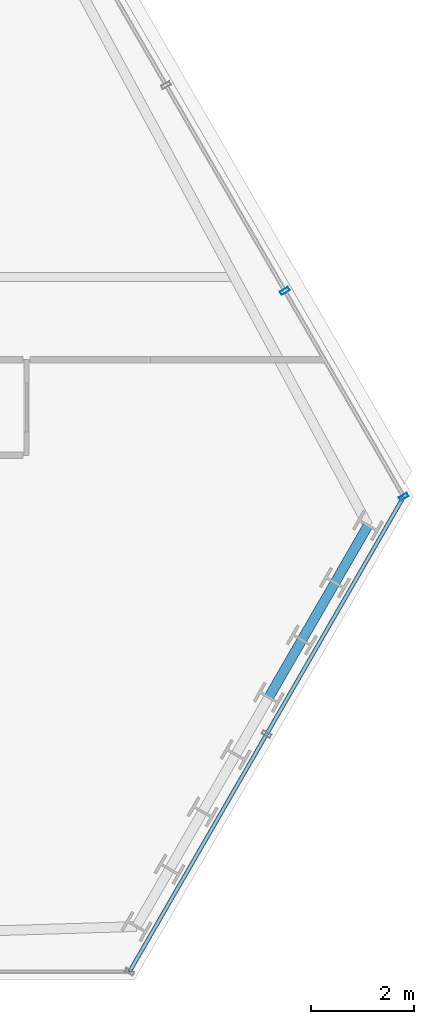
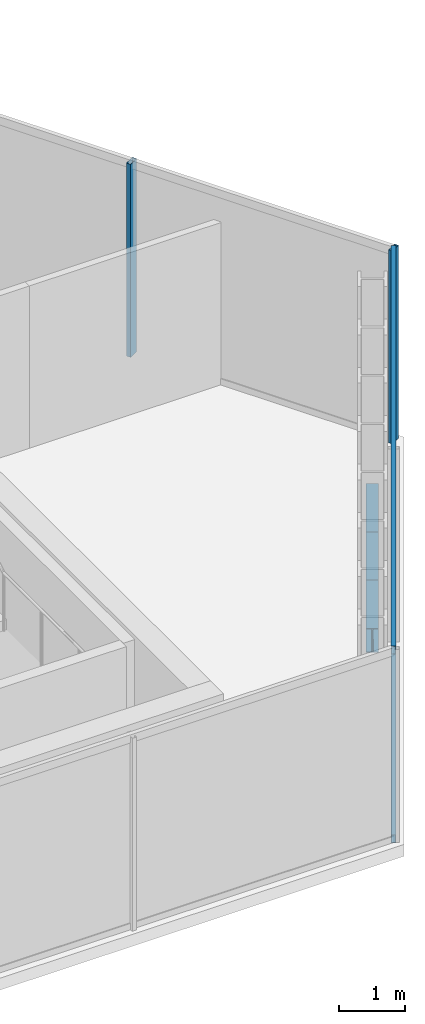
# One storey, part 16 of 33: 4 members, 3 beams, 2 elements without a shape of their own.
"""IFC4 building model written with IfcOpenShell, lengths in metres."""

import ifcopenshell
import ifcopenshell.guid

model = None  # the IFC model being written
_history = None  # IfcOwnerHistory: only IFC2X3 demands one
_inside = {}  # id of a spatial element -> (the spatial element, [elements in it])
_under = {}  # id of a project, library or spatial element -> (it, [spatial elements below it])
_declared = {}  # id of a project -> (the project, [libraries it declares])
_typed = {}  # id of a type object -> (the type object, [elements of that type])
_made_of = {}  # id of a material, layer set ... -> (it, [elements and type objects made of it])


def new_model(schema):
    """Start an empty IFC model of exactly this schema.

    Asked for "IFC4X3", IfcOpenShell would pick the latest addendum, in which some entities
    have other attributes; the version numbers below select the first issue.
    IFC2X3 requires an IfcOwnerHistory on every rooted entity: one is made here for all.
    """
    global model, _history
    if schema == "IFC4X3":
        model = ifcopenshell.file(schema_version=(4, 3, 0, 0))
    else:
        model = ifcopenshell.file(schema=schema)
    _inside.clear()
    _under.clear()
    _declared.clear()
    _typed.clear()
    _made_of.clear()
    _history = None
    if model.schema == "IFC2X3":
        org = make("IfcOrganization", Name="unknown")
        user = make(
            "IfcPersonAndOrganization",
            ThePerson=make("IfcPerson", FamilyName="unknown"),
            TheOrganization=org,
        )
        app = make(
            "IfcApplication",
            ApplicationDeveloper=org,
            Version="unknown",
            ApplicationFullName="unknown",
            ApplicationIdentifier="unknown",
        )
        _history = make(
            "IfcOwnerHistory",
            OwningUser=user,
            OwningApplication=app,
            ChangeAction="ADDED",
            CreationDate=0,
        )
    return model


def make(cls, **values):
    """One entity of the class cls with the attributes given. An attribute that is None is left unset."""
    return model.create_entity(
        cls, **{name: value for name, value in values.items() if value is not None}
    )


def rooted(cls, **values):
    """An entity with a GlobalId (a new one), such as an element, a storey or a relation."""
    return make(cls, GlobalId=ifcopenshell.guid.new(), OwnerHistory=_history, **values)


def si_unit(unit_type, name, prefix=None):
    """IfcSIUnit, for example si_unit("LENGTHUNIT", "METRE", prefix="MILLI")."""
    return make("IfcSIUnit", UnitType=unit_type, Prefix=prefix, Name=name)


def assignment(units):
    """IfcUnitAssignment: the units of a project."""
    return None if units is None else make("IfcUnitAssignment", Units=units)


def point(xyz):
    """IfcCartesianPoint."""
    return None if xyz is None else make("IfcCartesianPoint", Coordinates=xyz)


def direction(xyz):
    """IfcDirection."""
    return None if xyz is None else make("IfcDirection", DirectionRatios=xyz)


def frame(location, z_axis=None, x_axis=None):
    """IfcAxis2Placement3D, a coordinate frame: its origin and axes. An axis left out is left unset."""
    return make(
        "IfcAxis2Placement3D",
        Location=point(location),
        Axis=direction(z_axis),
        RefDirection=direction(x_axis),
    )


def frame_2d(location, x_axis=None):
    """IfcAxis2Placement2D, a coordinate frame in the plane: its origin and x axis."""
    return make(
        "IfcAxis2Placement2D", Location=point(location), RefDirection=direction(x_axis)
    )


def origin():
    """The frame at (0, 0, 0) with its axes left unset."""
    return frame((0.0, 0.0, 0.0))


def origin_2d():
    """The frame at (0, 0) in the plane with its x axis left unset."""
    return frame_2d((0.0, 0.0))


def place(relative_to, where):
    """IfcLocalPlacement: puts the frame where relative to a parent placement (None: the world)."""
    return make(
        "IfcLocalPlacement", PlacementRelTo=relative_to, RelativePlacement=where
    )


def context(
    kind, dimensions, precision=None, world=None, true_north=None, identifier=None
):
    """IfcGeometricRepresentationContext, for example the 3D "Model" context."""
    return make(
        "IfcGeometricRepresentationContext",
        ContextIdentifier=identifier,
        ContextType=kind,
        CoordinateSpaceDimension=dimensions,
        Precision=precision,
        WorldCoordinateSystem=world,
        TrueNorth=true_north,
    )


def subcontext(parent, identifier, kind, view, scale=None):
    """IfcGeometricRepresentationSubContext, for example "Body" below "Model"."""
    return make(
        "IfcGeometricRepresentationSubContext",
        ContextIdentifier=identifier,
        ContextType=kind,
        ParentContext=parent,
        TargetScale=scale,
        TargetView=view,
    )


def project(units=None, contexts=None):
    """IfcProject with its units and contexts."""
    return rooted(
        "IfcProject",
        Name="project",
        RepresentationContexts=contexts,
        UnitsInContext=assignment(units),
    )


def spatial(cls, under=None, at=None, **own):
    """A site, building, storey or space (cls), placed at a placement, below another one or the project."""
    s = rooted(cls, ObjectPlacement=at, **own)
    if under is not None:
        _under.setdefault(under.id(), (under, []))[1].append(s)
    return s


def profile(cls, at=None, kind="AREA", **sizes):
    """A parametric profile (cls). Its sizes go by their IFC names, for example OverallWidth=200.0."""
    return make(cls, ProfileType=kind, Position=at, **sizes)


def hollow_rectangle(**sizes):
    """IfcRectangleHollowProfileDef."""
    return profile("IfcRectangleHollowProfileDef", **sizes)


def i_section(**sizes):
    """IfcIShapeProfileDef."""
    return profile("IfcIShapeProfileDef", **sizes)


def extrude(swept, where, along, depth):
    """IfcExtrudedAreaSolid: the profile swept, set in the frame where, extruded along a direction by depth."""
    return make(
        "IfcExtrudedAreaSolid",
        SweptArea=swept,
        Position=where,
        ExtrudedDirection=direction(along),
        Depth=depth,
    )


def shape(context_of_items, identifier, shape_type, items):
    """IfcShapeRepresentation: the items that make up one representation, for example the "Body"."""
    return make(
        "IfcShapeRepresentation",
        ContextOfItems=context_of_items,
        RepresentationIdentifier=identifier,
        RepresentationType=shape_type,
        Items=items,
    )


def material(Name=None, Category=None):
    """IfcMaterial."""
    return make("IfcMaterial", Name=Name, Category=Category)


def layer(
    of_material, thickness, ventilated=None, Name=None, Category=None, Priority=None
):
    """IfcMaterialLayer: one layer of a wall or slab, of a material (None: an air gap)."""
    return make(
        "IfcMaterialLayer",
        Material=of_material,
        LayerThickness=thickness,
        IsVentilated=ventilated,
        Name=Name,
        Category=Category,
        Priority=Priority,
    )


def layer_set(layers, Name=None):
    """IfcMaterialLayerSet."""
    return make("IfcMaterialLayerSet", MaterialLayers=layers, LayerSetName=Name)


def material_profile(
    of_material, cross_section, Name=None, Category=None, Priority=None
):
    """IfcMaterialProfile: a cross section and its material."""
    return make(
        "IfcMaterialProfile",
        Name=Name,
        Material=of_material,
        Profile=cross_section,
        Priority=Priority,
        Category=Category,
    )


def profile_set(profiles, Name=None, composite=None):
    """IfcMaterialProfileSet."""
    return make(
        "IfcMaterialProfileSet",
        Name=Name,
        MaterialProfiles=profiles,
        CompositeProfile=composite,
    )


def made_of(thing, what):
    """Note that an element or type object is made of a material, layer set ...; save() writes the relation."""
    if what is not None:
        _made_of.setdefault(what.id(), (what, []))[1].append(thing)
    return thing


def type_object(cls, material=None, **own):
    """A type object (cls), such as IfcWallType, which elements share."""
    return made_of(rooted(cls, **own), material)


def element(
    cls,
    number,
    at=None,
    inside=None,
    cuts=None,
    type_object=None,
    material=None,
    context=None,
    identifier="Body",
    shape_type=None,
    held_by="IfcProductDefinitionShape",
    body=None,
    shapes=None,
    **own,
):
    """One element of the class cls, such as IfcWall. Its Tag is "e" and its number.

    at: its placement. inside: the storey or other place that contains it. cuts: it is an
    opening in that element (IfcRelVoidsElement). A single representation is given by context,
    identifier, shape_type and body (its items); several are given by shapes. held_by: the class
    of the entity that holds the representations. save() writes the other relations.
    """
    e = rooted(cls, Tag="e%d" % number, ObjectPlacement=at, **own)
    if body is not None:
        shapes = [shape(context, identifier, shape_type, body)]
    if shapes is not None:
        e.Representation = make(held_by, Representations=shapes)
    if inside is not None:
        _inside.setdefault(inside.id(), (inside, []))[1].append(e)
    if cuts is not None:
        rooted(
            "IfcRelVoidsElement", RelatingBuildingElement=cuts, RelatedOpeningElement=e
        )
    if type_object is not None:
        _typed.setdefault(type_object.id(), (type_object, []))[1].append(e)
    return made_of(e, material)


def aggregate(whole, parts):
    """IfcRelAggregates: a whole, such as a stair, and the parts it consists of."""
    return rooted("IfcRelAggregates", RelatingObject=whole, RelatedObjects=parts)


def save(model, path):
    """Write the relations noted so far, then the file.

    IfcRelAggregates (storeys below a building ...), IfcRelContainedInSpatialStructure (elements
    in a storey), IfcRelDefinesByType, IfcRelAssociatesMaterial and IfcRelDeclares: one each for
    every whole, place, type object, material and project.
    """
    for whole, parts in _under.values():
        aggregate(whole, parts)
    for where, things in _inside.values():
        rooted(
            "IfcRelContainedInSpatialStructure",
            RelatedElements=things,
            RelatingStructure=where,
        )
    for kind, things in _typed.values():
        rooted("IfcRelDefinesByType", RelatedObjects=things, RelatingType=kind)
    for what, things in _made_of.values():
        rooted("IfcRelAssociatesMaterial", RelatedObjects=things, RelatingMaterial=what)
    for by, libraries in _declared.values():
        rooted("IfcRelDeclares", RelatingContext=by, RelatedDefinitions=libraries)
    model.write(path)


model = new_model("IFC4")

# Units and contexts
model_context = context("Model", 3, precision=1e-05, world=origin(), true_north=direction((0.0, 1.0)))
body_context = subcontext(model_context, "Body", "Model", "MODEL_VIEW")
ifc_project = project(units=[si_unit("LENGTHUNIT", "METRE"), si_unit("AREAUNIT", "SQUARE_METRE"), si_unit("VOLUMEUNIT", "CUBIC_METRE"), si_unit("PLANEANGLEUNIT", "RADIAN"), si_unit("MASSUNIT", "GRAM", prefix="KILO")], contexts=[model_context])

# Site, building, storey
site_placement = place(None, origin())
site = spatial("IfcSite", under=ifc_project, at=site_placement, CompositionType="ELEMENT")
building_placement = place(site_placement, origin())
building = spatial("IfcBuilding", under=site, at=building_placement, Name="Ndaravel Arena Tower", CompositionType="ELEMENT")
storey_placement = place(building_placement, frame((0.0, 0.0, 161.199951171875)))
storey = spatial("IfcBuildingStorey", under=building, at=storey_placement, Name="L38", CompositionType="ELEMENT", Elevation=161.199951171875)

# Beams
ifc_material_1 = material(Name="Steel S355", Category="steel")
ifc_material_profile_1 = material_profile(ifc_material_1, i_section(OverallWidth=0.18994140625, OverallDepth=0.449951171875, WebThickness=0.009521484375, FlangeThickness=0.0146484375, FilletRadius=0.02099609375, at=origin_2d()), Name="IPE 450")
ifc_profile_set_1 = profile_set([ifc_material_profile_1], Name="Steel S355")
beam_type = type_object("IfcBeamType", Name="BM-SPAN-IPE450", PredefinedType="SPANDREL", material=ifc_profile_set_1)
beam_1_placement = place(storey_placement, frame((63.0859375, 10.468505859375, -0.445068359375), z_axis=(0.499975646431, 0.866039463868, 0.0), x_axis=(-0.866039463868, 0.499975646431, 0.0)))
element("IfcBeam", 1, at=beam_1_placement, inside=storey, type_object=beam_type, Name="L38 Perimeter Spandrel Beam SP-06", PredefinedType="SPANDREL", context=body_context, shape_type="SweptSolid", body=[
    extrude(i_section(OverallWidth=0.18994140625, OverallDepth=0.449951171875, WebThickness=0.009521484375, FlangeThickness=0.0146484375, FilletRadius=0.02099609375, at=origin_2d()), origin(), (0.0, 0.0, 1.0), 1.27978515625),
])
beam_2_placement = place(storey_placement, frame((63.725830078125, 11.576904296875, -0.445068359375), z_axis=(0.500036104519, 0.866004557827, 0.0), x_axis=(-0.866004557827, 0.500036104519, 0.0)))
element("IfcBeam", 2, at=beam_2_placement, inside=storey, type_object=beam_type, Name="L38 Perimeter Spandrel Beam SP-07", PredefinedType="SPANDREL", context=body_context, shape_type="SweptSolid", body=[
    extrude(i_section(OverallWidth=0.18994140625, OverallDepth=0.449951171875, WebThickness=0.009521484375, FlangeThickness=0.0146484375, FilletRadius=0.02099609375, at=origin_2d()), origin(), (0.0, 0.0, 1.0), 1.2802734375),
])
beam_3_placement = place(storey_placement, frame((64.365966796875, 12.685546875, -0.445068359375), z_axis=(0.499893060024, 0.866087136806, 0.0), x_axis=(-0.866087136806, 0.499893060024, 0.0)))
element("IfcBeam", 3, at=beam_3_placement, inside=storey, type_object=beam_type, Name="L38 Perimeter Spandrel Beam SP-08", PredefinedType="SPANDREL", context=body_context, shape_type="SweptSolid", body=[
    extrude(i_section(OverallWidth=0.18994140625, OverallDepth=0.449951171875, WebThickness=0.009521484375, FlangeThickness=0.0146484375, FilletRadius=0.02099609375, at=origin_2d()), origin(), (0.0, 0.0, 1.0), 1.280029296875),
])

# Curtain wall, members
ifc_material_2 = material(Name="Aluminium", Category="aluminium")
ifc_layer_1 = layer(ifc_material_2, 0.179931640625)
ifc_layer_set_1 = layer_set([ifc_layer_1], Name="Aluminium")
curtain_wall_type_1 = type_object("IfcCurtainWallType", Name="CW-SYS-03", PredefinedType="NOTDEFINED", material=ifc_layer_set_1)
curtain_wall_1_placement = place(storey_placement, origin())
curtain_wall_1 = element("IfcCurtainWall", 4, at=curtain_wall_1_placement, inside=storey, type_object=curtain_wall_type_1, Name="L38 Faceted Crystal Curtain Wall CW-L38-E03", PredefinedType="NOTDEFINED")
ifc_material_3 = material(Name="Aluminium", Category="aluminium")
ifc_material_profile_2 = material_profile(ifc_material_3, hollow_rectangle(XDim=0.074951171875, YDim=0.179931640625, WallThickness=0.00390625, at=origin_2d()), Name="CW MULLION 75x180x4")
ifc_profile_set_2 = profile_set([ifc_material_profile_2], Name="Aluminium")
member_type_1 = type_object("IfcMemberType", Name="MEM-CW-MUL180", PredefinedType="MULLION", material=ifc_profile_set_2)
member_1_placement = place(storey_placement, frame((65.6953125, 14.348388671875, 0.0), z_axis=(0.0, 0.0, 1.0), x_axis=(-0.5, 0.866025403784, 0.0)))
member_1 = element("IfcMember", 5, at=member_1_placement, type_object=member_type_1, Name="CW-L38-E03 Mullion 00", PredefinedType="MULLION", context=body_context, shape_type="SweptSolid", body=[
    extrude(hollow_rectangle(XDim=0.074951171875, YDim=0.179931640625, WallThickness=0.00390625, at=origin_2d()), origin(), (0.0, 0.0, 1.0), 3.580078125),
])
member_2_placement = place(storey_placement, frame((63.396484375, 18.330078125, 0.0), z_axis=(0.0, 0.0, 1.0), x_axis=(-0.5, 0.866025403784, 0.0)))
member_2 = element("IfcMember", 6, at=member_2_placement, type_object=member_type_1, Name="CW-L38-E03 Mullion 01", PredefinedType="MULLION", context=body_context, shape_type="SweptSolid", body=[
    extrude(hollow_rectangle(XDim=0.074951171875, YDim=0.179931640625, WallThickness=0.00390625, at=origin_2d()), origin(), (0.0, 0.0, 1.0), 3.580078125),
])
aggregate(curtain_wall_1, [member_1, member_2])

ifc_material_4 = material(Name="Aluminium", Category="aluminium")
ifc_layer_2 = layer(ifc_material_4, 0.179931640625)
ifc_layer_set_2 = layer_set([ifc_layer_2], Name="Aluminium")
curtain_wall_type_2 = type_object("IfcCurtainWallType", Name="CW-SYS-01", PredefinedType="NOTDEFINED", material=ifc_layer_set_2)
curtain_wall_2_placement = place(storey_placement, origin())
curtain_wall_2 = element("IfcCurtainWall", 7, at=curtain_wall_2_placement, inside=storey, type_object=curtain_wall_type_2, Name="L38 Faceted Crystal Curtain Wall CW-L38-E02", PredefinedType="NOTDEFINED")
ifc_material_5 = material(Name="Aluminium", Category="aluminium")
ifc_material_profile_3 = material_profile(ifc_material_5, hollow_rectangle(XDim=0.074951171875, YDim=0.14990234375, WallThickness=0.00390625, at=origin_2d()), Name="CW TRANSOM 75x150x4")
ifc_profile_set_3 = profile_set([ifc_material_profile_3], Name="Aluminium")
member_type_2 = type_object("IfcMemberType", Name="MEM-CW-TRN150", PredefinedType="USERDEFINED", material=ifc_profile_set_3)
member_3_placement = place(storey_placement, frame((60.390380859375, 5.159912109375, 0.0400390625), z_axis=(0.499997329654, 0.866026945504, 0.0), x_axis=(-0.866026945504, 0.499997329654, 0.0)))
member_3 = element("IfcMember", 8, at=member_3_placement, type_object=member_type_2, Name="CW-L38-E02 Transom 01", ObjectType="TRANSOM", PredefinedType="USERDEFINED", context=body_context, shape_type="SweptSolid", body=[
    extrude(hollow_rectangle(XDim=0.074951171875, YDim=0.14990234375, WallThickness=0.00390625, at=origin_2d()), origin(), (0.0, 0.0, 1.0), 10.60986328125),
])
member_4_placement = place(storey_placement, frame((60.390380859375, 5.159912109375, 3.5400390625), z_axis=(0.499997329654, 0.866026945504, 0.0), x_axis=(-0.866026945504, 0.499997329654, 0.0)))
member_4 = element("IfcMember", 9, at=member_4_placement, type_object=member_type_2, Name="CW-L38-E02 Transom 02", ObjectType="TRANSOM", PredefinedType="USERDEFINED", context=body_context, shape_type="SweptSolid", body=[
    extrude(hollow_rectangle(XDim=0.074951171875, YDim=0.14990234375, WallThickness=0.00390625, at=origin_2d()), origin(), (0.0, 0.0, 1.0), 10.60986328125),
])
aggregate(curtain_wall_2, [member_3, member_4])

save(model, "model.ifc")
